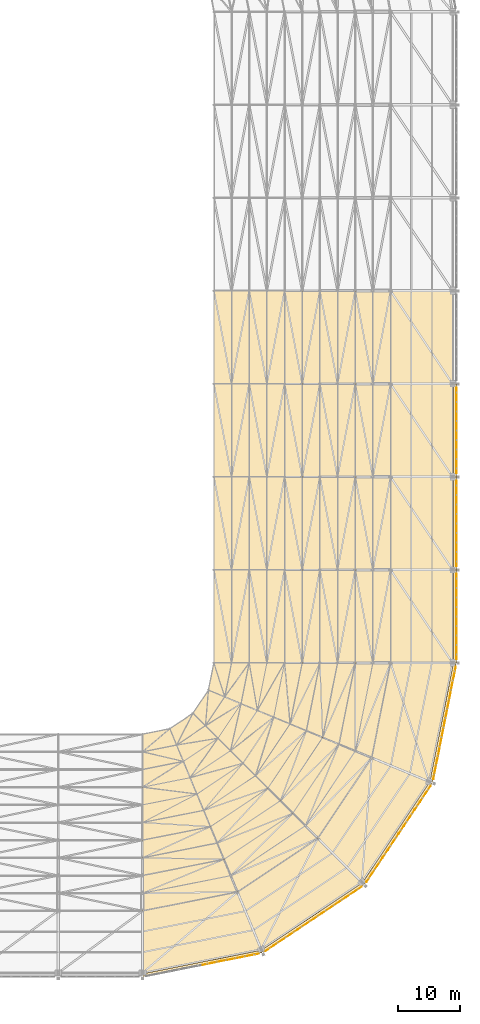
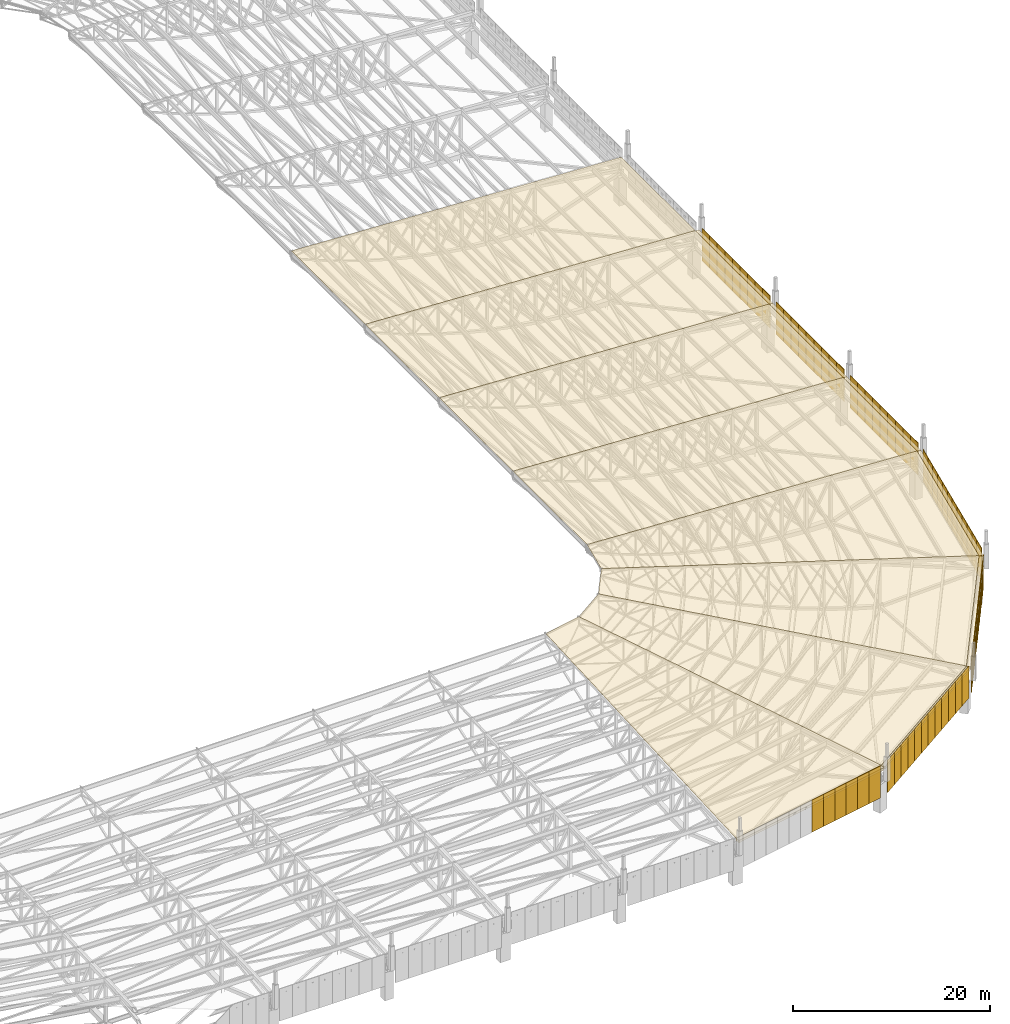
# One storey, part 274 of 278: 69 shading devices, 15 coverings.
"""IFC4 building model written with IfcOpenShell, lengths in metres."""

from ifc_helpers import new_model, si_unit, direction, frame, origin, origin_2d, place, context, subcontext, project, spatial, polyline, rectangle, outline, extrude, material, layer, layer_set, type_object, element, save


model = new_model("IFC4")

# Units and contexts
model_context = context("Model", 3, precision=1e-05, world=origin(), true_north=direction((0.0, 1.0)))
body_context = subcontext(model_context, "Body", "Model", "MODEL_VIEW")
ifc_project = project(units=[si_unit("LENGTHUNIT", "METRE"), si_unit("AREAUNIT", "SQUARE_METRE"), si_unit("VOLUMEUNIT", "CUBIC_METRE"), si_unit("PLANEANGLEUNIT", "RADIAN"), si_unit("MASSUNIT", "GRAM", prefix="KILO")], contexts=[model_context])

# Site, building, storey
site_placement = place(None, origin())
site = spatial("IfcSite", under=ifc_project, at=site_placement, CompositionType="ELEMENT")
building_placement = place(site_placement, origin())
building = spatial("IfcBuilding", under=site, at=building_placement, Name="Ogive Plaza Stadium", CompositionType="ELEMENT")
storey_placement = place(building_placement, frame((0.0, 0.0, 29.0)))
storey = spatial("IfcBuildingStorey", under=building, at=storey_placement, Name="Roof", CompositionType="ELEMENT", Elevation=29.0)

# Coverings
ifc_material_1 = material(Name="Titanium-zinc sheet", Category="metal")
ifc_layer_1 = layer(ifc_material_1, 0.010009765625)
ifc_layer_set_1 = layer_set([ifc_layer_1], Name="Eave box gutter")
covering_type_1 = type_object("IfcCoveringType", Name="Eave box gutter", PredefinedType="CLADDING", material=ifc_layer_set_1)
for number, where, z_axis, x_axis, name in (
    (1, (84.37744140625, -15.0, 5.2001953125), (0.0, 0.0, 1.0), (0.0, -1.0, 0.0), "EAVE GUTTER B05"),
    (2, (84.37744140625, -30.0, 5.2001953125), (0.0, 0.0, 1.0), (0.0, -1.0, 0.0), "EAVE GUTTER B06"),
    (3, (84.37744140625, -45.0, 5.2001953125), (0.0, 0.0, 1.0), (0.0, -1.0, 0.0), "EAVE GUTTER B07"),
):
    element("IfcCovering", number, at=place(storey_placement, frame(where, z_axis=z_axis, x_axis=x_axis)), inside=storey, type_object=covering_type_1, Name=name, PredefinedType="CLADDING", context=body_context, shape_type="SweptSolid", body=[
        extrude(rectangle(XDim=15.0, YDim=0.449951171875, at=origin_2d()), origin(), (0.0, 0.0, 1.0), 0.300048828125),
    ])
for number, where, z_axis, x_axis, name in (
    (4, (82.46435546875, -62.14013671875, 5.2001953125), (0.0, 0.0, 1.0), (-0.195090322016, -0.980785280403, 0.0), "EAVE GUTTER B08"),
    (5, (75.0859375, -79.952880859375, 5.2001953125), (0.0, 0.0, 1.0), (-0.55557023302, -0.831469612303, 0.0), "EAVE GUTTER B09"),
    (6, (61.452880859375, -93.5859375, 5.2001953125), (0.0, 0.0, 1.0), (-0.831469612303, -0.55557023302, 0.0), "EAVE GUTTER B10"),
    (7, (43.64013671875, -100.96435546875, 5.2001953125), (0.0, 0.0, 1.0), (-0.980785280403, -0.195090322016, 0.0), "EAVE GUTTER B11"),
):
    element("IfcCovering", number, at=place(storey_placement, frame(where, z_axis=z_axis, x_axis=x_axis)), inside=storey, type_object=covering_type_1, Name=name, PredefinedType="CLADDING", context=body_context, shape_type="SweptSolid", body=[
        extrude(rectangle(XDim=19.568603515625, YDim=0.449951171875, at=origin_2d()), origin(), (0.0, 0.0, 1.0), 0.300048828125),
    ])
ifc_material_2 = material(Name="PTFE-coated glass-fibre membrane", Category="glass")
ifc_layer_2 = layer(ifc_material_2, 0.050048828125)
ifc_layer_set_2 = layer_set([ifc_layer_2], Name="Roof membrane panel")
covering_type_2 = type_object("IfcCoveringType", Name="Roof membrane panel", PredefinedType="ROOFING", material=ifc_layer_set_2)
for number, where, z_axis, x_axis, name in (
    (8, (45.5, 7.5, 7.47509765625), (0.049937616944, 0.0, 0.998752338878), (0.998752338878, 0.0, -0.049937616944), "ROOF PANEL B04"),
    (9, (45.5, -7.5, 7.47509765625), (0.049937616944, 0.0, 0.998752338878), (0.998752338878, 0.0, -0.049937616944), "ROOF PANEL B05"),
    (10, (45.5, -22.5, 7.47509765625), (0.049937616944, 0.0, 0.998752338878), (0.998752338878, 0.0, -0.049937616944), "ROOF PANEL B06"),
    (11, (45.5, -37.5, 7.47509765625), (0.049937616944, 0.0, 0.998752338878), (0.998752338878, 0.0, -0.049937616944), "ROOF PANEL B07"),
):
    element("IfcCovering", number, at=place(storey_placement, frame(where, z_axis=z_axis, x_axis=x_axis)), inside=storey, type_object=covering_type_2, Name=name, PredefinedType="ROOFING", context=body_context, shape_type="SweptSolid", body=[
        extrude(outline(polyline([(0.0, 0.0), (38.7006290202315, 0.0), (38.7006290202315, -15.0), (0.0, -15.0), (0.0, 0.0)])), origin(), (0.0, 0.0, -1.0), 0.050048828125),
    ])
covering_1_placement = place(storey_placement, frame((45.5, -52.5, 7.47509765625), z_axis=(0.04993505547, -0.009932961892, 0.998703072241), x_axis=(0.998752343772, -9.74e-10, -0.049937519051)))
element("IfcCovering", 12, at=covering_1_placement, inside=storey, type_object=covering_type_2, Name="ROOF PANEL B08", PredefinedType="ROOFING", context=body_context, shape_type="SweptSolid", body=[
    extrude(outline(polyline([(0.0, 0.0), (38.70062902023132, 3.469446951953614e-18), (34.88776517183497, -19.19332964465389), (-0.8743959685589578, -4.401096064418014), (0.0, 0.0)])), origin(), (0.0, 0.0, -1.0), 0.050048828125),
])
covering_2_placement = place(storey_placement, frame((44.62451171875, -56.90087890625, 7.47509765625), z_axis=(0.0423334421, -0.028285334756, 0.998703068744), x_axis=(0.92272818434, -0.38220271868, -0.049937757847)))
element("IfcCovering", 13, at=covering_2_placement, inside=storey, type_object=covering_type_2, Name="ROOF PANEL B09", PredefinedType="ROOFING", context=body_context, shape_type="SweptSolid", body=[
    extrude(outline(polyline([(0.0, 0.0), (38.70067626959137, -1.4918621893400541e-15), (34.88788675244272, -19.19352237293038), (-0.8740802771596128, -4.401074481133384), (0.0, 0.0)])), origin(), (0.0, 0.0, -1.0), 0.050048828125),
])
covering_3_placement = place(storey_placement, frame((42.1318359375, -60.6318359375, 7.47509765625), z_axis=(0.028285334756, -0.0423334421, 0.998703068744), x_axis=(0.706224554973, -0.706224557813, -0.049937479857)))
element("IfcCovering", 14, at=covering_3_placement, inside=storey, type_object=covering_type_2, Name="ROOF PANEL B10", PredefinedType="ROOFING", context=body_context, shape_type="SweptSolid", body=[
    extrude(outline(polyline([(0.0, 0.0), (38.70057881295696, -1.2559397966072083e-15), (34.887552468526074, -19.19347532571769), (-0.8745046176349289, -4.400990183258547), (0.0, 0.0)])), origin(), (0.0, 0.0, -1.0), 0.050048828125),
])
covering_4_placement = place(storey_placement, frame((38.40087890625, -63.12451171875, 7.47509765625), z_axis=(0.009932961892, -0.04993505547, 0.998703072241), x_axis=(0.382202723424, -0.922728188002, -0.049937653868)))
element("IfcCovering", 15, at=covering_4_placement, inside=storey, type_object=covering_type_2, Name="ROOF PANEL B11", PredefinedType="ROOFING", context=body_context, shape_type="SweptSolid", body=[
    extrude(outline(polyline([(0.0, 0.0), (38.70067626959198, -8.81239525796218e-16), (34.88792729059308, -19.193352463754227), (-0.8741901880509053, -4.401136943243575), (0.0, 0.0)])), origin(), (0.0, 0.0, -1.0), 0.050048828125),
])

# Shading devices
ifc_material_3 = material(Name="Perforated bronze-anodised aluminium", Category="aluminium")
ifc_layer_3 = layer(ifc_material_3, 0.050048828125)
ifc_layer_set_3 = layer_set([ifc_layer_3], Name="Tracery screen panel")
shading_device_type = type_object("IfcShadingDeviceType", Name="Tracery screen panel", PredefinedType="SHUTTER", material=ifc_layer_set_3)
for number, where, z_axis, x_axis, name in (
    (16, (84.62744140625, -8.86669921875, 2.0), (0.0, 0.0, 1.0), (0.0, -1.0, 0.0), "TRACERY SCREEN B05 1"),
    (17, (84.62744140625, -10.39990234375, 2.0), (0.0, 0.0, 1.0), (0.0, -1.0, 0.0), "TRACERY SCREEN B05 2"),
    (18, (84.62744140625, -11.933349609375, 2.0), (0.0, 0.0, 1.0), (0.0, -1.0, 0.0), "TRACERY SCREEN B05 3"),
    (19, (84.62744140625, -13.466552734375, 2.0), (0.0, 0.0, 1.0), (0.0, -1.0, 0.0), "TRACERY SCREEN B05 4"),
    (20, (84.62744140625, -15.0, 2.0), (0.0, 0.0, 1.0), (0.0, -1.0, 0.0), "TRACERY SCREEN B05 5"),
    (21, (84.62744140625, -16.533447265625, 2.0), (0.0, 0.0, 1.0), (0.0, -1.0, 0.0), "TRACERY SCREEN B05 6"),
    (22, (84.62744140625, -18.066650390625, 2.0), (0.0, 0.0, 1.0), (0.0, -1.0, 0.0), "TRACERY SCREEN B05 7"),
    (23, (84.62744140625, -19.60009765625, 2.0), (0.0, 0.0, 1.0), (0.0, -1.0, 0.0), "TRACERY SCREEN B05 8"),
    (24, (84.62744140625, -21.13330078125, 2.0), (0.0, 0.0, 1.0), (0.0, -1.0, 0.0), "TRACERY SCREEN B05 9"),
    (25, (84.62744140625, -23.86669921875, 2.0), (0.0, 0.0, 1.0), (0.0, -1.0, 0.0), "TRACERY SCREEN B06 1"),
    (26, (84.62744140625, -25.39990234375, 2.0), (0.0, 0.0, 1.0), (0.0, -1.0, 0.0), "TRACERY SCREEN B06 2"),
    (27, (84.62744140625, -26.933349609375, 2.0), (0.0, 0.0, 1.0), (0.0, -1.0, 0.0), "TRACERY SCREEN B06 3"),
    (28, (84.62744140625, -28.466552734375, 2.0), (0.0, 0.0, 1.0), (0.0, -1.0, 0.0), "TRACERY SCREEN B06 4"),
    (29, (84.62744140625, -30.0, 2.0), (0.0, 0.0, 1.0), (0.0, -1.0, 0.0), "TRACERY SCREEN B06 5"),
    (30, (84.62744140625, -31.533447265625, 2.0), (0.0, 0.0, 1.0), (0.0, -1.0, 0.0), "TRACERY SCREEN B06 6"),
    (31, (84.62744140625, -33.066650390625, 2.0), (0.0, 0.0, 1.0), (0.0, -1.0, 0.0), "TRACERY SCREEN B06 7"),
    (32, (84.62744140625, -34.60009765625, 2.0), (0.0, 0.0, 1.0), (0.0, -1.0, 0.0), "TRACERY SCREEN B06 8"),
    (33, (84.62744140625, -36.13330078125, 2.0), (0.0, 0.0, 1.0), (0.0, -1.0, 0.0), "TRACERY SCREEN B06 9"),
    (34, (84.62744140625, -38.86669921875, 2.0), (0.0, 0.0, 1.0), (0.0, -1.0, 0.0), "TRACERY SCREEN B07 1"),
    (35, (84.62744140625, -40.39990234375, 2.0), (0.0, 0.0, 1.0), (0.0, -1.0, 0.0), "TRACERY SCREEN B07 2"),
    (36, (84.62744140625, -41.933349609375, 2.0), (0.0, 0.0, 1.0), (0.0, -1.0, 0.0), "TRACERY SCREEN B07 3"),
    (37, (84.62744140625, -43.466552734375, 2.0), (0.0, 0.0, 1.0), (0.0, -1.0, 0.0), "TRACERY SCREEN B07 4"),
    (38, (84.62744140625, -45.0, 2.0), (0.0, 0.0, 1.0), (0.0, -1.0, 0.0), "TRACERY SCREEN B07 5"),
    (39, (84.62744140625, -46.533447265625, 2.0), (0.0, 0.0, 1.0), (0.0, -1.0, 0.0), "TRACERY SCREEN B07 6"),
    (40, (84.62744140625, -48.066650390625, 2.0), (0.0, 0.0, 1.0), (0.0, -1.0, 0.0), "TRACERY SCREEN B07 7"),
    (41, (84.62744140625, -49.60009765625, 2.0), (0.0, 0.0, 1.0), (0.0, -1.0, 0.0), "TRACERY SCREEN B07 8"),
    (42, (84.62744140625, -51.13330078125, 2.0), (0.0, 0.0, 1.0), (0.0, -1.0, 0.0), "TRACERY SCREEN B07 9"),
):
    element("IfcShadingDevice", number, at=place(storey_placement, frame(where, z_axis=z_axis, x_axis=x_axis)), inside=storey, type_object=shading_device_type, Name=name, PredefinedType="SHUTTER", context=body_context, shape_type="SweptSolid", body=[
        extrude(rectangle(XDim=1.533447265625, YDim=0.050048828125, at=origin_2d()), origin(), (0.0, 0.0, 1.0), 4.0),
    ])
for number, where, z_axis, x_axis, name in (
    (43, (84.36572265625, -53.86181640625, 2.0), (0.0, 0.0, 1.0), (-0.195090322016, -0.980785280403, 0.0), "TRACERY SCREEN B08 1"),
    (44, (84.064697265625, -55.3759765625, 2.0), (0.0, 0.0, 1.0), (-0.195090322016, -0.980785280403, 0.0), "TRACERY SCREEN B08 2"),
    (45, (83.763427734375, -56.889892578125, 2.0), (0.0, 0.0, 1.0), (-0.195090322016, -0.980785280403, 0.0), "TRACERY SCREEN B08 3"),
    (46, (83.46240234375, -58.40380859375, 2.0), (0.0, 0.0, 1.0), (-0.195090322016, -0.980785280403, 0.0), "TRACERY SCREEN B08 4"),
    (47, (83.1611328125, -59.91796875, 2.0), (0.0, 0.0, 1.0), (-0.195090322016, -0.980785280403, 0.0), "TRACERY SCREEN B08 5"),
    (48, (82.860107421875, -61.431884765625, 2.0), (0.0, 0.0, 1.0), (-0.195090322016, -0.980785280403, 0.0), "TRACERY SCREEN B08 6"),
    (49, (82.558837890625, -62.94580078125, 2.0), (0.0, 0.0, 1.0), (-0.195090322016, -0.980785280403, 0.0), "TRACERY SCREEN B08 7"),
    (50, (82.2578125, -64.4599609375, 2.0), (0.0, 0.0, 1.0), (-0.195090322016, -0.980785280403, 0.0), "TRACERY SCREEN B08 8"),
    (51, (81.95654296875, -65.973876953125, 2.0), (0.0, 0.0, 1.0), (-0.195090322016, -0.980785280403, 0.0), "TRACERY SCREEN B08 9"),
    (52, (81.655517578125, -67.488037109375, 2.0), (0.0, 0.0, 1.0), (-0.195090322016, -0.980785280403, 0.0), "TRACERY SCREEN B08 10"),
    (53, (81.354248046875, -69.001953125, 2.0), (0.0, 0.0, 1.0), (-0.195090322016, -0.980785280403, 0.0), "TRACERY SCREEN B08 11"),
    (54, (81.05322265625, -70.515869140625, 2.0), (0.0, 0.0, 1.0), (-0.195090322016, -0.980785280403, 0.0), "TRACERY SCREEN B08 12"),
):
    element("IfcShadingDevice", number, at=place(storey_placement, frame(where, z_axis=z_axis, x_axis=x_axis)), inside=storey, type_object=shading_device_type, Name=name, PredefinedType="SHUTTER", context=body_context, shape_type="SweptSolid", body=[
        extrude(rectangle(XDim=1.543701171875, YDim=0.050048828125, at=origin_2d()), origin(), (0.0, 0.0, 1.0), 4.0),
    ])
for number, where, z_axis, x_axis, name in (
    (55, (80.03662109375, -72.993408203125, 2.0), (0.0, 0.0, 1.0), (-0.55557023302, -0.831469612303, 0.0), "TRACERY SCREEN B09 1"),
    (56, (79.17431640625, -74.2841796875, 2.0), (0.0, 0.0, 1.0), (-0.55557023302, -0.831469612303, 0.0), "TRACERY SCREEN B09 2"),
    (57, (78.31201171875, -75.57470703125, 2.0), (0.0, 0.0, 1.0), (-0.55557023302, -0.831469612303, 0.0), "TRACERY SCREEN B09 3"),
    (58, (77.44970703125, -76.865234375, 2.0), (0.0, 0.0, 1.0), (-0.55557023302, -0.831469612303, 0.0), "TRACERY SCREEN B09 4"),
    (59, (76.58740234375, -78.15576171875, 2.0), (0.0, 0.0, 1.0), (-0.55557023302, -0.831469612303, 0.0), "TRACERY SCREEN B09 5"),
    (60, (75.72509765625, -79.4462890625, 2.0), (0.0, 0.0, 1.0), (-0.55557023302, -0.831469612303, 0.0), "TRACERY SCREEN B09 6"),
    (61, (74.86279296875, -80.737060546875, 2.0), (0.0, 0.0, 1.0), (-0.55557023302, -0.831469612303, 0.0), "TRACERY SCREEN B09 7"),
    (62, (74.00048828125, -82.027587890625, 2.0), (0.0, 0.0, 1.0), (-0.55557023302, -0.831469612303, 0.0), "TRACERY SCREEN B09 8"),
    (63, (73.137939453125, -83.318115234375, 2.0), (0.0, 0.0, 1.0), (-0.55557023302, -0.831469612303, 0.0), "TRACERY SCREEN B09 9"),
    (64, (72.275634765625, -84.608642578125, 2.0), (0.0, 0.0, 1.0), (-0.55557023302, -0.831469612303, 0.0), "TRACERY SCREEN B09 10"),
    (65, (71.413330078125, -85.899169921875, 2.0), (0.0, 0.0, 1.0), (-0.55557023302, -0.831469612303, 0.0), "TRACERY SCREEN B09 11"),
    (66, (70.551025390625, -87.18994140625, 2.0), (0.0, 0.0, 1.0), (-0.55557023302, -0.831469612303, 0.0), "TRACERY SCREEN B09 12"),
    (67, (68.68994140625, -89.051025390625, 2.0), (0.0, 0.0, 1.0), (-0.831469612303, -0.55557023302, 0.0), "TRACERY SCREEN B10 1"),
    (68, (67.399169921875, -89.913330078125, 2.0), (0.0, 0.0, 1.0), (-0.831469612303, -0.55557023302, 0.0), "TRACERY SCREEN B10 2"),
    (69, (66.108642578125, -90.775634765625, 2.0), (0.0, 0.0, 1.0), (-0.831469612303, -0.55557023302, 0.0), "TRACERY SCREEN B10 3"),
    (70, (64.818115234375, -91.637939453125, 2.0), (0.0, 0.0, 1.0), (-0.831469612303, -0.55557023302, 0.0), "TRACERY SCREEN B10 4"),
    (71, (63.527587890625, -92.50048828125, 2.0), (0.0, 0.0, 1.0), (-0.831469612303, -0.55557023302, 0.0), "TRACERY SCREEN B10 5"),
    (72, (62.237060546875, -93.36279296875, 2.0), (0.0, 0.0, 1.0), (-0.831469612303, -0.55557023302, 0.0), "TRACERY SCREEN B10 6"),
    (73, (60.9462890625, -94.22509765625, 2.0), (0.0, 0.0, 1.0), (-0.831469612303, -0.55557023302, 0.0), "TRACERY SCREEN B10 7"),
    (74, (59.65576171875, -95.08740234375, 2.0), (0.0, 0.0, 1.0), (-0.831469612303, -0.55557023302, 0.0), "TRACERY SCREEN B10 8"),
    (75, (58.365234375, -95.94970703125, 2.0), (0.0, 0.0, 1.0), (-0.831469612303, -0.55557023302, 0.0), "TRACERY SCREEN B10 9"),
    (76, (57.07470703125, -96.81201171875, 2.0), (0.0, 0.0, 1.0), (-0.831469612303, -0.55557023302, 0.0), "TRACERY SCREEN B10 10"),
    (77, (55.7841796875, -97.67431640625, 2.0), (0.0, 0.0, 1.0), (-0.831469612303, -0.55557023302, 0.0), "TRACERY SCREEN B10 11"),
    (78, (54.493408203125, -98.53662109375, 2.0), (0.0, 0.0, 1.0), (-0.831469612303, -0.55557023302, 0.0), "TRACERY SCREEN B10 12"),
):
    element("IfcShadingDevice", number, at=place(storey_placement, frame(where, z_axis=z_axis, x_axis=x_axis)), inside=storey, type_object=shading_device_type, Name=name, PredefinedType="SHUTTER", context=body_context, shape_type="SweptSolid", body=[
        extrude(rectangle(XDim=1.55224609375, YDim=0.050048828125, at=origin_2d()), origin(), (0.0, 0.0, 1.0), 4.0),
    ])
for number, where, z_axis, x_axis, name in (
    (79, (52.015869140625, -99.55322265625, 2.0), (0.0, 0.0, 1.0), (-0.980785280403, -0.195090322016, 0.0), "TRACERY SCREEN B11 1"),
    (80, (50.501953125, -99.854248046875, 2.0), (0.0, 0.0, 1.0), (-0.980785280403, -0.195090322016, 0.0), "TRACERY SCREEN B11 2"),
    (81, (48.988037109375, -100.155517578125, 2.0), (0.0, 0.0, 1.0), (-0.980785280403, -0.195090322016, 0.0), "TRACERY SCREEN B11 3"),
    (82, (47.473876953125, -100.45654296875, 2.0), (0.0, 0.0, 1.0), (-0.980785280403, -0.195090322016, 0.0), "TRACERY SCREEN B11 4"),
    (83, (45.9599609375, -100.7578125, 2.0), (0.0, 0.0, 1.0), (-0.980785280403, -0.195090322016, 0.0), "TRACERY SCREEN B11 5"),
    (84, (44.44580078125, -101.058837890625, 2.0), (0.0, 0.0, 1.0), (-0.980785280403, -0.195090322016, 0.0), "TRACERY SCREEN B11 6"),
):
    element("IfcShadingDevice", number, at=place(storey_placement, frame(where, z_axis=z_axis, x_axis=x_axis)), inside=storey, type_object=shading_device_type, Name=name, PredefinedType="SHUTTER", context=body_context, shape_type="SweptSolid", body=[
        extrude(rectangle(XDim=1.543701171875, YDim=0.050048828125, at=origin_2d()), origin(), (0.0, 0.0, 1.0), 4.0),
    ])

save(model, "model.ifc")
